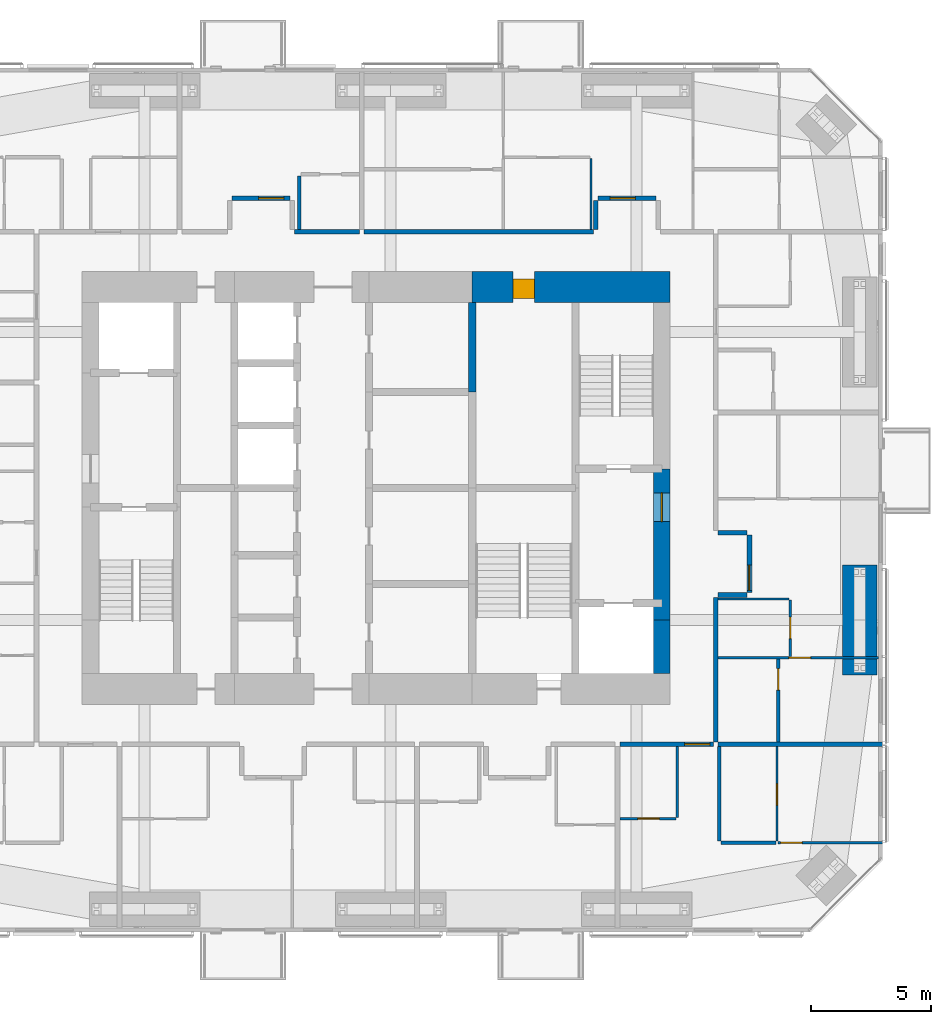
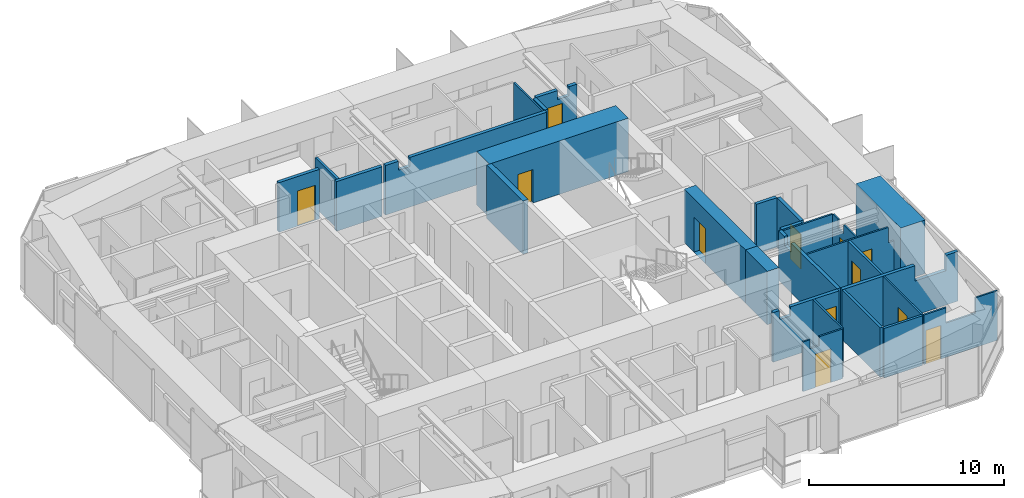
# One storey, part 19 of 23: 28 walls, 12 doors, 12 openings.
"""IFC4 building model written with IfcOpenShell, lengths in metres."""

from ifc_helpers import new_model, si_unit, direction, frame, frame_2d, origin, place, context, subcontext, project, spatial, polyline, rectangle, outline, extrude, material, layer, layer_set, constituent, constituent_set, type_object, element, fill, save


model = new_model("IFC4")

# Units and contexts
model_context = context("Model", 3, precision=1e-05, world=origin(), true_north=direction((0.0, 1.0)))
body_context = subcontext(model_context, "Body", "Model", "MODEL_VIEW")
ifc_project = project(units=[si_unit("LENGTHUNIT", "METRE"), si_unit("AREAUNIT", "SQUARE_METRE"), si_unit("VOLUMEUNIT", "CUBIC_METRE"), si_unit("PLANEANGLEUNIT", "RADIAN"), si_unit("MASSUNIT", "GRAM", prefix="KILO")], contexts=[model_context])

# Site, building, storey
site_placement = place(None, origin())
site = spatial("IfcSite", under=ifc_project, at=site_placement, CompositionType="ELEMENT")
building_placement = place(site_placement, origin())
building = spatial("IfcBuilding", under=site, at=building_placement, Name="Jalousie Tower", CompositionType="ELEMENT")
storey_placement = place(building_placement, frame((0.0, 0.0, 171.10009765625)))
storey = spatial("IfcBuildingStorey", under=building, at=storey_placement, Name="L46", CompositionType="ELEMENT", Elevation=171.10009765625)

# Walls
ifc_material_1 = material(Name="Concrete block ASTM C90", Category="concrete")
ifc_constituent_1 = constituent(ifc_material_1, Name="Body")
ifc_material_2 = material(Name="Render")
ifc_constituent_2 = constituent(ifc_material_2, Name="Finish")
ifc_constituent_set_1 = constituent_set(constituents=[ifc_constituent_1, ifc_constituent_2])
wall_type_1 = type_object("IfcWallType", Name="BATHROOM WALL 150", PredefinedType="PLUMBINGWALL", material=ifc_constituent_set_1)
wall_1_placement = place(storey_placement, frame((46.27490234375, 3.72119140625, 0.0), z_axis=(0.0, 0.0, 1.0), x_axis=(1.0, 0.0, 0.0)))
element("IfcWall", 1, at=wall_1_placement, inside=storey, type_object=wall_type_1, Name="Bathroom Wall 150 L46", PredefinedType="PLUMBINGWALL", context=body_context, shape_type="SweptSolid", body=[
    extrude(rectangle(XDim=2.275146484375, YDim=0.14990234375, at=frame_2d((1.1376953125, 0.0))), origin(), (0.0, 0.0, 1.0), 3.10986328125),
])
wall_2_placement = place(storey_placement, frame((46.199951171875, 3.79638671875, 0.0), z_axis=(0.0, 0.0, 1.0), x_axis=(0.0, 1.0, 0.0)))
element("IfcWall", 2, at=wall_2_placement, inside=storey, type_object=wall_type_1, Name="Bathroom Wall 150 L46", PredefinedType="PLUMBINGWALL", context=body_context, shape_type="SweptSolid", body=[
    extrude(rectangle(XDim=3.9287109375, YDim=0.14990234375, at=frame_2d((1.96435546875, 0.0))), origin(), (0.0, 0.0, 1.0), 3.10986328125),
])
wall_3_placement = place(storey_placement, frame((28.699951171875, 31.5, 0.0), z_axis=(0.0, 0.0, 1.0), x_axis=(0.0, -1.0, 0.0)))
element("IfcWall", 3, at=wall_3_placement, inside=storey, type_object=wall_type_1, Name="Bathroom Wall 150 L46", PredefinedType="PLUMBINGWALL", context=body_context, shape_type="SweptSolid", body=[
    extrude(rectangle(XDim=2.22509765625, YDim=0.14990234375, at=frame_2d((1.112548828125, 0.0))), origin(), (0.0, 0.0, 1.0), 3.10986328125),
])

# Wall, opening, door
wall_4_placement = place(storey_placement, frame((48.64990234375, 7.925048828125, 0.0), z_axis=(0.0, 0.0, 1.0), x_axis=(0.0, 1.0, 0.0)))
wall_4 = element("IfcWall", 4, at=wall_4_placement, inside=storey, type_object=wall_type_1, Name="Bathroom Wall 150 L46", PredefinedType="PLUMBINGWALL", context=body_context, shape_type="SweptSolid", body=[
    extrude(rectangle(XDim=3.449951171875, YDim=0.14990234375, at=frame_2d((1.72509765625, 0.0))), origin(), (0.0, 0.0, 1.0), 3.10986328125),
])
opening_1_placement = place(wall_4_placement, frame((2.14990234375, 0.0, 0.0)))
opening_1 = element("IfcOpeningElement", 5, at=opening_1_placement, cuts=wall_4, Name="Opening D3", PredefinedType="OPENING", context=body_context, shape_type="SweptSolid", body=[
    extrude(rectangle(XDim=0.89990234375, YDim=2.10009765625, at=frame_2d((0.449951171875, 1.050048828125))), frame((0.0, 0.0849609375, 0.0), z_axis=(0.0, -1.0, 0.0), x_axis=(1.0, 0.0, 0.0)), (0.0, 0.0, 1.0), 0.169921875),
])
ifc_material_3 = material(Name="Timber door", Category="wood")
door_type_1 = type_object("IfcDoorType", Name="BATHROOM DOOR 900", OperationType="SINGLE_SWING_LEFT", PredefinedType="DOOR", material=ifc_material_3)
door_1_placement = place(opening_1_placement, origin())
door_1 = element("IfcDoor", 6, at=door_1_placement, inside=storey, type_object=door_type_1, Name="Apartment 4610 bedroom 1 bathroom door", OperationType="SINGLE_SWING_RIGHT", OverallHeight=2.10009765625, OverallWidth=0.89990234375, PredefinedType="DOOR", context=body_context, shape_type="SweptSolid", body=[
    extrude(rectangle(XDim=0.89990234375, YDim=2.10009765625, at=frame_2d((0.449951171875, 1.050048828125))), frame((0.0, 0.02490234375, 0.0), z_axis=(0.0, -1.0, 0.0), x_axis=(1.0, 0.0, 0.0)), (0.0, 0.0, 1.0), 0.050048828125),
])
fill(opening_1, door_1)

ifc_material_4 = material(Name="Concrete f'c 120 MPa", Category="concrete")
ifc_layer_1 = layer(ifc_material_4, 1.300048828125)
ifc_layer_set_1 = layer_set([ifc_layer_1], Name="Concrete f'c 120 MPa")
wall_type_2 = type_object("IfcWallType", Name="CORE WALL 1300", PredefinedType="SHEAR", material=ifc_layer_set_1)
wall_5_placement = place(storey_placement, frame((44.14990234375, 26.875, 0.0), z_axis=(0.0, 0.0, 1.0), x_axis=(-1.0, 0.0, 0.0)))
wall_5 = element("IfcWall", 7, at=wall_5_placement, inside=storey, type_object=wall_type_2, Name="Core wall NA L46", PredefinedType="SHEAR", context=body_context, shape_type="SweptSolid", body=[
    extrude(rectangle(XDim=8.25, YDim=1.300048828125, at=frame_2d((4.125, 0.0))), origin(), (0.0, 0.0, 1.0), 3.349853515625),
])
opening_2_placement = place(wall_5_placement, frame((5.64990234375, 0.0, 0.0)))
opening_2 = element("IfcOpeningElement", 8, at=opening_2_placement, cuts=wall_5, Name="Opening D18", PredefinedType="OPENING", context=body_context, shape_type="SweptSolid", body=[
    extrude(rectangle(XDim=0.89990234375, YDim=2.10009765625, at=frame_2d((0.449951171875, 1.050048828125))), frame((0.0, 0.659912109375, 0.0), z_axis=(0.0, -1.0, 0.0), x_axis=(1.0, 0.0, 0.0)), (0.0, 0.0, 1.0), 1.320068359375),
])
ifc_material_5 = material(Name="Steel fire door", Category="steel")
door_type_2 = type_object("IfcDoorType", Name="CLEANER'S STORE DOOR 900", OperationType="SINGLE_SWING_LEFT", PredefinedType="DOOR", material=ifc_material_5)
door_2_placement = place(opening_2_placement, origin())
door_2 = element("IfcDoor", 9, at=door_2_placement, inside=storey, type_object=door_type_2, Name="Cleaner's store door", OperationType="SINGLE_SWING_RIGHT", OverallHeight=2.10009765625, OverallWidth=0.89990234375, PredefinedType="DOOR", context=body_context, shape_type="SweptSolid", body=[
    extrude(rectangle(XDim=0.89990234375, YDim=2.10009765625, at=frame_2d((0.449951171875, 1.050048828125))), frame((0.0, 0.47021484375, 0.0), z_axis=(0.0, -1.0, 0.0), x_axis=(1.0, 0.0, 0.0)), (0.0, 0.0, 1.0), 0.800048828125),
])
fill(opening_2, door_2)

# Walls
ifc_material_6 = material(Name="Concrete f'c 120 MPa", Category="concrete")
ifc_layer_2 = layer(ifc_material_6, 0.300048828125)
ifc_layer_set_2 = layer_set([ifc_layer_2], Name="Concrete f'c 120 MPa")
wall_type_3 = type_object("IfcWallType", Name="CORE WALL 300", PredefinedType="SHEAR", material=ifc_layer_set_2)
wall_6_placement = place(storey_placement, frame((35.89990234375, 22.5, 0.0), z_axis=(0.0, 0.0, 1.0), x_axis=(0.0, 1.0, 0.0)))
element("IfcWall", 10, at=wall_6_placement, inside=storey, type_object=wall_type_3, Name="Core wall X35.9D L46", PredefinedType="SHEAR", context=body_context, shape_type="SweptSolid", body=[
    extrude(rectangle(XDim=3.72509765625, YDim=0.300048828125, at=frame_2d((1.862548828125, 0.0))), origin(), (0.0, 0.0, 1.0), 3.349853515625),
])
ifc_material_7 = material(Name="Concrete f'c 120 MPa", Category="concrete")
ifc_layer_3 = layer(ifc_material_7, 0.699951171875)
ifc_layer_set_3 = layer_set([ifc_layer_3], Name="Concrete f'c 120 MPa")
wall_type_4 = type_object("IfcWallType", Name="CORE WALL 700", PredefinedType="SHEAR", material=ifc_layer_set_3)
wall_7_placement = place(storey_placement, frame((43.800048828125, 10.77490234375, 0.0), z_axis=(0.0, 0.0, 1.0), x_axis=(0.0, 1.0, 0.0)))
element("IfcWall", 11, at=wall_7_placement, inside=storey, type_object=wall_type_4, Name="Core wall EA L46", PredefinedType="SHEAR", context=body_context, shape_type="SweptSolid", body=[
    extrude(rectangle(XDim=2.22509765625, YDim=0.699951171875, at=frame_2d((1.112548828125, 0.0))), origin(), (0.0, 0.0, 1.0), 3.349853515625),
])

# Wall, opening, door
wall_8_placement = place(storey_placement, frame((43.800048828125, 13.0, 0.0), z_axis=(0.0, 0.0, 1.0), x_axis=(0.0, 1.0, 0.0)))
wall_8 = element("IfcWall", 12, at=wall_8_placement, inside=storey, type_object=wall_type_4, Name="Core wall EB L46", PredefinedType="SHEAR", context=body_context, shape_type="SweptSolid", body=[
    extrude(rectangle(XDim=6.300048828125, YDim=0.699951171875, at=frame_2d((3.14990234375, 0.0))), origin(), (0.0, 0.0, 1.0), 3.349853515625),
])
opening_3_placement = place(wall_8_placement, frame((4.10009765625, 0.0, 0.0)))
opening_3 = element("IfcOpeningElement", 13, at=opening_3_placement, cuts=wall_8, Name="Opening D11", PredefinedType="OPENING", context=body_context, shape_type="SweptSolid", body=[
    extrude(rectangle(XDim=1.199951171875, YDim=2.199951171875, at=frame_2d((0.60009765625, 1.10009765625))), frame((0.0, 0.35986328125, 0.0), z_axis=(0.0, -1.0, 0.0), x_axis=(1.0, 0.0, 0.0)), (0.0, 0.0, 1.0), 0.719970703125),
])
ifc_material_8 = material(Name="Steel fire door", Category="steel")
door_type_3 = type_object("IfcDoorType", Name="FIRE DOOR 1200", OperationType="SINGLE_SWING_LEFT", PredefinedType="DOOR", material=ifc_material_8)
door_3_placement = place(opening_3_placement, origin())
door_3 = element("IfcDoor", 14, at=door_3_placement, inside=storey, type_object=door_type_3, Name="Fire-fighting lobby B door", OperationType="SINGLE_SWING_RIGHT", OverallHeight=2.199951171875, OverallWidth=1.199951171875, PredefinedType="DOOR", context=body_context, shape_type="SweptSolid", body=[
    extrude(rectangle(XDim=1.199951171875, YDim=2.199951171875, at=frame_2d((0.60009765625, 1.10009765625))), frame((0.0, 0.02490234375, 0.0), z_axis=(0.0, -1.0, 0.0), x_axis=(1.0, 0.0, 0.0)), (0.0, 0.0, 1.0), 0.050048828125),
])
fill(opening_3, door_3)

ifc_material_9 = material(Name="Concrete block ASTM C90", Category="concrete")
ifc_constituent_3 = constituent(ifc_material_9, Name="Body")
ifc_material_10 = material(Name="Render")
ifc_constituent_4 = constituent(ifc_material_10, Name="Finish")
ifc_constituent_set_2 = constituent_set(constituents=[ifc_constituent_3, ifc_constituent_4])
wall_type_5 = type_object("IfcWallType", Name="CORRIDOR WALL 200", PredefinedType="PARTITIONING", material=ifc_constituent_set_2)
wall_9_placement = place(storey_placement, frame((42.050048828125, 7.824951171875, 0.0), z_axis=(0.0, 0.0, 1.0), x_axis=(1.0, 0.0, 0.0)))
wall_9 = element("IfcWall", 15, at=wall_9_placement, inside=storey, type_object=wall_type_5, Name="Corridor Wall 200 L46", PredefinedType="PARTITIONING", context=body_context, shape_type="SweptSolid", body=[
    extrude(outline(polyline([(0.0, 0.0), (3.89990234375, 0.0), (3.89990234375, 3.10986328125), (1.037353515625, 3.10986328125), (1.037353515625, 2.541015625), (0.362548828125, 2.541015625), (0.362548828125, 3.10986328125), (0.0, 3.10986328125), (0.0, 0.0)])), frame((0.0, 0.10009765625, 0.0), z_axis=(0.0, -1.0, 0.0), x_axis=(1.0, 0.0, 0.0)), (0.0, 0.0, 1.0), 0.199951171875),
])
opening_4_placement = place(wall_9_placement, frame((2.699951171875, 0.0, 0.0)))
opening_4 = element("IfcOpeningElement", 16, at=opening_4_placement, cuts=wall_9, Name="Opening D1", PredefinedType="OPENING", context=body_context, shape_type="SweptSolid", body=[
    extrude(rectangle(XDim=1.050048828125, YDim=2.199951171875, at=frame_2d((0.52490234375, 1.10009765625))), frame((0.0, 0.10986328125, 0.0), z_axis=(0.0, -1.0, 0.0), x_axis=(1.0, 0.0, 0.0)), (0.0, 0.0, 1.0), 0.219970703125),
])
ifc_material_11 = material(Name="Timber fire door", Category="wood")
door_type_4 = type_object("IfcDoorType", Name="APARTMENT ENTRANCE DOOR 1050", OperationType="SINGLE_SWING_LEFT", PredefinedType="DOOR", material=ifc_material_11)
door_4_placement = place(opening_4_placement, frame((1.050048828125, 0.0, 0.0), z_axis=(0.0, 0.0, 1.0), x_axis=(-1.0, 0.0, 0.0)))
door_4 = element("IfcDoor", 17, at=door_4_placement, inside=storey, type_object=door_type_4, Name="Apartment 4604 entrance", OperationType="SINGLE_SWING_RIGHT", OverallHeight=2.199951171875, OverallWidth=1.050048828125, PredefinedType="DOOR", context=body_context, shape_type="SweptSolid", body=[
    extrude(rectangle(XDim=1.050048828125, YDim=2.199951171875, at=frame_2d((0.52490234375, 1.10009765625))), frame((0.0, 0.02490234375, 0.0), z_axis=(0.0, -1.0, 0.0), x_axis=(1.0, 0.0, 0.0)), (0.0, 0.0, 1.0), 0.050048828125),
])
fill(opening_4, door_4)

# Walls
wall_10_placement = place(storey_placement, frame((31.39990234375, 29.175048828125, 0.0), z_axis=(0.0, 0.0, 1.0), x_axis=(1.0, 0.0, 0.0)))
element("IfcWall", 18, at=wall_10_placement, inside=storey, type_object=wall_type_5, Name="Corridor Wall 200 L46", PredefinedType="PARTITIONING", context=body_context, shape_type="SweptSolid", body=[
    extrude(outline(polyline([(0.0, 0.0), (9.550048828125, 0.0), (9.550048828125, 3.10986328125), (1.437255859375, 3.10986328125), (1.437255859375, 2.541015625), (0.7626953125, 2.541015625), (0.7626953125, 3.10986328125), (0.0, 3.10986328125), (0.0, 0.0)])), frame((0.0, 0.10009765625, 0.0), z_axis=(0.0, -1.0, 0.0), x_axis=(1.0, 0.0, 0.0)), (0.0, 0.0, 1.0), 0.199951171875),
])
wall_11_placement = place(storey_placement, frame((46.050048828125, 7.925048828125, 0.0), z_axis=(0.0, 0.0, 1.0), x_axis=(0.0, 1.0, 0.0)))
element("IfcWall", 19, at=wall_11_placement, inside=storey, type_object=wall_type_5, Name="Corridor Wall 200 L46", PredefinedType="PARTITIONING", context=body_context, shape_type="SweptSolid", body=[
    extrude(outline(polyline([(0.0, 0.0), (6.012451171875, 0.0), (6.012451171875, 3.10986328125), (5.412353515625, 3.10986328125), (5.412353515625, 2.541015625), (4.73779296875, 2.541015625), (4.73779296875, 3.10986328125), (0.0, 3.10986328125), (0.0, 0.0)])), frame((0.0, 0.10009765625, 0.0), z_axis=(0.0, -1.0, 0.0), x_axis=(1.0, 0.0, 0.0)), (0.0, 0.0, 1.0), 0.199951171875),
])
wall_12_placement = place(storey_placement, frame((28.5, 29.175048828125, 0.0), z_axis=(0.0, 0.0, 1.0), x_axis=(1.0, 0.0, 0.0)))
element("IfcWall", 20, at=wall_12_placement, inside=storey, type_object=wall_type_5, Name="Corridor Wall 200 L46", PredefinedType="PARTITIONING", context=body_context, shape_type="SweptSolid", body=[
    extrude(rectangle(XDim=2.699951171875, YDim=0.199951171875, at=frame_2d((1.35009765625, 0.0))), origin(), (0.0, 0.0, 1.0), 3.10986328125),
])

# Wall, opening, door
wall_13_placement = place(storey_placement, frame((25.89990234375, 30.574951171875, 0.0), z_axis=(0.0, 0.0, 1.0), x_axis=(1.0, 0.0, 0.0)))
wall_13 = element("IfcWall", 21, at=wall_13_placement, inside=storey, type_object=wall_type_5, Name="Corridor Wall 200 L46", PredefinedType="PARTITIONING", context=body_context, shape_type="SweptSolid", body=[
    extrude(rectangle(XDim=2.400146484375, YDim=0.199951171875, at=frame_2d((1.2001953125, 0.0))), origin(), (0.0, 0.0, 1.0), 3.10986328125),
])
opening_5_placement = place(wall_13_placement, frame((1.10009765625, 0.0, 0.0)))
opening_5 = element("IfcOpeningElement", 22, at=opening_5_placement, cuts=wall_13, Name="Opening D1", PredefinedType="OPENING", context=body_context, shape_type="SweptSolid", body=[
    extrude(rectangle(XDim=1.050048828125, YDim=2.199951171875, at=frame_2d((0.52490234375, 1.10009765625))), frame((0.0, 0.10986328125, 0.0), z_axis=(0.0, -1.0, 0.0), x_axis=(1.0, 0.0, 0.0)), (0.0, 0.0, 1.0), 0.219970703125),
])
door_5_placement = place(opening_5_placement, origin())
door_5 = element("IfcDoor", 23, at=door_5_placement, inside=storey, type_object=door_type_4, Name="Apartment 4606 entrance", OperationType="SINGLE_SWING_RIGHT", OverallHeight=2.199951171875, OverallWidth=1.050048828125, PredefinedType="DOOR", context=body_context, shape_type="SweptSolid", body=[
    extrude(rectangle(XDim=1.050048828125, YDim=2.199951171875, at=frame_2d((0.52490234375, 1.10009765625))), frame((0.0, 0.02490234375, 0.0), z_axis=(0.0, -1.0, 0.0), x_axis=(1.0, 0.0, 0.0)), (0.0, 0.0, 1.0), 0.050048828125),
])
fill(opening_5, door_5)

wall_14_placement = place(storey_placement, frame((41.14990234375, 30.574951171875, 0.0), z_axis=(0.0, 0.0, 1.0), x_axis=(1.0, 0.0, 0.0)))
wall_14 = element("IfcWall", 24, at=wall_14_placement, inside=storey, type_object=wall_type_5, Name="Corridor Wall 200 L46", PredefinedType="PARTITIONING", context=body_context, shape_type="SweptSolid", body=[
    extrude(outline(polyline([(0.0, 0.0), (2.400146484375, 0.0), (2.39990234375, 3.10986328125), (1.9375, 3.10986328125), (1.9375, 2.541015625), (1.2626953125, 2.541015625), (1.2626953125, 3.10986328125), (0.0, 3.10986328125), (0.0, 0.0)])), frame((0.0, 0.10009765625, 0.0), z_axis=(0.0, -1.0, 0.0), x_axis=(1.0, 0.0, 0.0)), (0.0, 0.0, 1.0), 0.199951171875),
])
opening_6_placement = place(wall_14_placement, frame((0.5, 0.0, 0.0)))
opening_6 = element("IfcOpeningElement", 25, at=opening_6_placement, cuts=wall_14, Name="Opening D1", PredefinedType="OPENING", context=body_context, shape_type="SweptSolid", body=[
    extrude(rectangle(XDim=1.050048828125, YDim=2.199951171875, at=frame_2d((0.52490234375, 1.10009765625))), frame((0.0, 0.10986328125, 0.0), z_axis=(0.0, -1.0, 0.0), x_axis=(1.0, 0.0, 0.0)), (0.0, 0.0, 1.0), 0.219970703125),
])
door_6_placement = place(opening_6_placement, origin())
door_6 = element("IfcDoor", 26, at=door_6_placement, inside=storey, type_object=door_type_4, Name="Apartment 4607 entrance", OperationType="SINGLE_SWING_LEFT", OverallHeight=2.199951171875, OverallWidth=1.050048828125, PredefinedType="DOOR", context=body_context, shape_type="SweptSolid", body=[
    extrude(rectangle(XDim=1.050048828125, YDim=2.199951171875, at=frame_2d((0.52490234375, 1.10009765625))), frame((0.0, 0.02490234375, 0.0), z_axis=(0.0, -1.0, 0.0), x_axis=(1.0, 0.0, 0.0)), (0.0, 0.0, 1.0), 0.050048828125),
])
fill(opening_6, door_6)

# Wall
wall_15_placement = place(storey_placement, frame((41.050048828125, 29.27490234375, 0.0), z_axis=(0.0, 0.0, 1.0), x_axis=(0.0, 1.0, 0.0)))
element("IfcWall", 27, at=wall_15_placement, inside=storey, type_object=wall_type_5, Name="Corridor Wall 200 L46", PredefinedType="PARTITIONING", context=body_context, shape_type="SweptSolid", body=[
    extrude(rectangle(XDim=1.2001953125, YDim=0.199951171875, at=frame_2d((0.60009765625, 0.0))), origin(), (0.0, 0.0, 1.0), 3.10986328125),
])

# Wall, opening, door
wall_16_placement = place(storey_placement, frame((47.449951171875, 14.137451171875, 0.0), z_axis=(0.0, 0.0, 1.0), x_axis=(0.0, 1.0, 0.0)))
wall_16 = element("IfcWall", 28, at=wall_16_placement, inside=storey, type_object=wall_type_5, Name="Corridor Wall 200 L46", PredefinedType="PARTITIONING", context=body_context, shape_type="SweptSolid", body=[
    extrude(rectangle(XDim=2.400146484375, YDim=0.199951171875, at=frame_2d((1.2001953125, 0.0))), origin(), (0.0, 0.0, 1.0), 3.10986328125),
])
opening_7_placement = place(wall_16_placement, frame((0.10009765625, 0.0, 0.0)))
opening_7 = element("IfcOpeningElement", 29, at=opening_7_placement, cuts=wall_16, Name="Opening D1", PredefinedType="OPENING", context=body_context, shape_type="SweptSolid", body=[
    extrude(rectangle(XDim=1.050048828125, YDim=2.199951171875, at=frame_2d((0.52490234375, 1.10009765625))), frame((0.0, 0.10986328125, 0.0), z_axis=(0.0, -1.0, 0.0), x_axis=(1.0, 0.0, 0.0)), (0.0, 0.0, 1.0), 0.219970703125),
])
door_7_placement = place(opening_7_placement, frame((1.050048828125, 0.0, 0.0), z_axis=(0.0, 0.0, 1.0), x_axis=(-1.0, 0.0, 0.0)))
door_7 = element("IfcDoor", 30, at=door_7_placement, inside=storey, type_object=door_type_4, Name="Apartment 4610 entrance", OperationType="SINGLE_SWING_RIGHT", OverallHeight=2.199951171875, OverallWidth=1.050048828125, PredefinedType="DOOR", context=body_context, shape_type="SweptSolid", body=[
    extrude(rectangle(XDim=1.050048828125, YDim=2.199951171875, at=frame_2d((0.52490234375, 1.10009765625))), frame((0.0, 0.02490234375, 0.0), z_axis=(0.0, -1.0, 0.0), x_axis=(1.0, 0.0, 0.0)), (0.0, 0.0, 1.0), 0.050048828125),
])
fill(opening_7, door_7)

# Walls
for number, where, z_axis, x_axis, name in (
    (31, (46.14990234375, 14.03759765625, 0.0), (0.0, 0.0, 1.0), (1.0, 0.0, 0.0), "Corridor Wall 200 L46"),
    (32, (46.14990234375, 16.637451171875, 0.0), (0.0, 0.0, 1.0), (1.0, 0.0, 0.0), "Corridor Wall 200 L46"),
):
    element("IfcWall", number, at=place(storey_placement, frame(where, z_axis=z_axis, x_axis=x_axis)), inside=storey, type_object=wall_type_5, Name=name, PredefinedType="PARTITIONING", context=body_context, shape_type="SweptSolid", body=[
        extrude(rectangle(XDim=1.2001953125, YDim=0.199951171875, at=frame_2d((0.60009765625, 0.0))), origin(), (0.0, 0.0, 1.0), 3.10986328125),
    ])

# Wall, opening, door
ifc_material_12 = material(Name="Gypsum board", Category="gypsum")
ifc_constituent_5 = constituent(ifc_material_12, Name="Body")
ifc_material_13 = material(Name="Light-gauge steel studs ASTM A653 SS Grade 33", Category="steel")
ifc_constituent_6 = constituent(ifc_material_13, Name="Framing")
ifc_constituent_set_3 = constituent_set(constituents=[ifc_constituent_5, ifc_constituent_6])
wall_type_6 = type_object("IfcWallType", Name="PARTITION 100", PredefinedType="PARTITIONING", material=ifc_constituent_set_3)
wall_17_placement = place(storey_placement, frame((48.60009765625, 3.79638671875, 0.0), z_axis=(0.0, 0.0, 1.0), x_axis=(0.0, 1.0, 0.0)))
wall_17 = element("IfcWall", 33, at=wall_17_placement, inside=storey, type_object=wall_type_6, Name="Partition 100 L46", PredefinedType="PARTITIONING", context=body_context, shape_type="SweptSolid", body=[
    extrude(rectangle(XDim=3.9287109375, YDim=0.10009765625, at=frame_2d((1.96435546875, 0.0))), origin(), (0.0, 0.0, 1.0), 3.10986328125),
])
opening_8_placement = place(wall_17_placement, frame((1.476806640625, 0.0, 0.0)))
opening_8 = element("IfcOpeningElement", 34, at=opening_8_placement, cuts=wall_17, Name="Opening D3", PredefinedType="OPENING", context=body_context, shape_type="SweptSolid", body=[
    extrude(rectangle(XDim=0.89990234375, YDim=2.10009765625, at=frame_2d((0.449951171875, 1.050048828125))), frame((0.0, 0.06005859375, 0.0), z_axis=(0.0, -1.0, 0.0), x_axis=(1.0, 0.0, 0.0)), (0.0, 0.0, 1.0), 0.1201171875),
])
door_8_placement = place(opening_8_placement, origin())
door_8 = element("IfcDoor", 35, at=door_8_placement, inside=storey, type_object=door_type_1, Name="Apartment 4604 bedroom 1 bathroom door", OperationType="SINGLE_SWING_LEFT", OverallHeight=2.10009765625, OverallWidth=0.89990234375, PredefinedType="DOOR", context=body_context, shape_type="SweptSolid", body=[
    extrude(rectangle(XDim=0.89990234375, YDim=2.10009765625, at=frame_2d((0.449951171875, 1.050048828125))), frame((0.0, 0.02490234375, 0.0), z_axis=(0.0, -1.0, 0.0), x_axis=(1.0, 0.0, 0.0)), (0.0, 0.0, 1.0), 0.050048828125),
])
fill(opening_8, door_8)

wall_18_placement = place(storey_placement, frame((48.64990234375, 3.72119140625, 0.0), z_axis=(0.0, 0.0, 1.0), x_axis=(1.0, 0.0, 0.0)))
wall_18 = element("IfcWall", 36, at=wall_18_placement, inside=storey, type_object=wall_type_6, Name="Partition 100 L46", PredefinedType="PARTITIONING", context=body_context, shape_type="SweptSolid", body=[
    extrude(outline(polyline([(0.0, 0.0), (4.35009765625, 0.0), (4.35009765625, 3.10986328125), (3.049072265625, 3.10986328125), (3.049072265625, 2.14990234375), (1.314453125, 2.14990234375), (1.314453125, 3.10986328125), (0.0, 3.10986328125), (0.0, 0.0)])), frame((0.0, 0.050048828125, 0.0), z_axis=(0.0, -1.0, 0.0), x_axis=(1.0, 0.0, 0.0)), (0.0, 0.0, 1.0), 0.10009765625),
])
opening_9_placement = place(wall_18_placement, frame((0.10009765625, 0.0, 0.0)))
opening_9 = element("IfcOpeningElement", 37, at=opening_9_placement, cuts=wall_18, Name="Opening D2", PredefinedType="OPENING", context=body_context, shape_type="SweptSolid", body=[
    extrude(rectangle(XDim=0.89990234375, YDim=2.10009765625, at=frame_2d((0.449951171875, 1.050048828125))), frame((0.0, 0.06005859375, 0.0), z_axis=(0.0, -1.0, 0.0), x_axis=(1.0, 0.0, 0.0)), (0.0, 0.0, 1.0), 0.1201171875),
])
ifc_material_14 = material(Name="Timber door", Category="wood")
door_type_5 = type_object("IfcDoorType", Name="BEDROOM DOOR 900", OperationType="SINGLE_SWING_LEFT", PredefinedType="DOOR", material=ifc_material_14)
door_9_placement = place(opening_9_placement, origin())
door_9 = element("IfcDoor", 38, at=door_9_placement, inside=storey, type_object=door_type_5, Name="Apartment 4604 bedroom 1 door", OperationType="SINGLE_SWING_LEFT", OverallHeight=2.10009765625, OverallWidth=0.89990234375, PredefinedType="DOOR", context=body_context, shape_type="SweptSolid", body=[
    extrude(rectangle(XDim=0.89990234375, YDim=2.10009765625, at=frame_2d((0.449951171875, 1.050048828125))), frame((0.0, 0.02490234375, 0.0), z_axis=(0.0, -1.0, 0.0), x_axis=(1.0, 0.0, 0.0)), (0.0, 0.0, 1.0), 0.050048828125),
])
fill(opening_9, door_9)

wall_19_placement = place(storey_placement, frame((42.050048828125, 4.72509765625, 0.0), z_axis=(0.0, 0.0, 1.0), x_axis=(1.0, 0.0, 0.0)))
wall_19 = element("IfcWall", 39, at=wall_19_placement, inside=storey, type_object=wall_type_6, Name="Partition 100 L46", PredefinedType="PARTITIONING", context=body_context, shape_type="SweptSolid", body=[
    extrude(outline(polyline([(0.0, 0.0), (2.349853515625, 0.0), (2.35009765625, 3.10986328125), (0.9873046875, 3.10986328125), (0.9873046875, 2.541015625), (0.41259765625, 2.541015625), (0.41259765625, 3.10986328125), (0.0, 3.10986328125), (0.0, 0.0)])), frame((0.0, 0.050048828125, 0.0), z_axis=(0.0, -1.0, 0.0), x_axis=(1.0, 0.0, 0.0)), (0.0, 0.0, 1.0), 0.10009765625),
])
opening_10_placement = place(wall_19_placement, frame((0.75, 0.0, 0.0)))
opening_10 = element("IfcOpeningElement", 40, at=opening_10_placement, cuts=wall_19, Name="Opening D7", PredefinedType="OPENING", context=body_context, shape_type="SweptSolid", body=[
    extrude(rectangle(XDim=0.89990234375, YDim=2.10009765625, at=frame_2d((0.449951171875, 1.050048828125))), frame((0.0, 0.06005859375, 0.0), z_axis=(0.0, -1.0, 0.0), x_axis=(1.0, 0.0, 0.0)), (0.0, 0.0, 1.0), 0.1201171875),
])
ifc_material_15 = material(Name="Timber door", Category="wood")
door_type_6 = type_object("IfcDoorType", Name="INTERNAL DOOR 900", OperationType="SINGLE_SWING_LEFT", PredefinedType="DOOR", material=ifc_material_15)
door_10_placement = place(opening_10_placement, frame((0.89990234375, 0.0, 0.0), z_axis=(0.0, 0.0, 1.0), x_axis=(-1.0, 0.0, 0.0)))
door_10 = element("IfcDoor", 41, at=door_10_placement, inside=storey, type_object=door_type_6, Name="Apartment 4604 kitchen door", OperationType="SINGLE_SWING_RIGHT", OverallHeight=2.10009765625, OverallWidth=0.89990234375, PredefinedType="DOOR", context=body_context, shape_type="SweptSolid", body=[
    extrude(rectangle(XDim=0.89990234375, YDim=2.10009765625, at=frame_2d((0.449951171875, 1.050048828125))), frame((0.0, 0.02490234375, 0.0), z_axis=(0.0, -1.0, 0.0), x_axis=(1.0, 0.0, 0.0)), (0.0, 0.0, 1.0), 0.050048828125),
])
fill(opening_10, door_10)

# Walls
for number, where, z_axis, x_axis, name in (
    (42, (44.449951171875, 4.77490234375, 0.0), (0.0, 0.0, 1.0), (0.0, 1.0, 0.0), "Partition 100 L46"),
    (43, (40.85009765625, 32.22509765625, 0.0), (0.0, 0.0, 1.0), (0.0, -1.0, 0.0), "Partition 100 L46"),
):
    element("IfcWall", number, at=place(storey_placement, frame(where, z_axis=z_axis, x_axis=x_axis)), inside=storey, type_object=wall_type_6, Name=name, PredefinedType="PARTITIONING", context=body_context, shape_type="SweptSolid", body=[
        extrude(rectangle(XDim=2.9501953125, YDim=0.10009765625, at=frame_2d((1.47509765625, 0.0))), origin(), (0.0, 0.0, 1.0), 3.10986328125),
    ])

# Wall, opening, door
wall_20_placement = place(storey_placement, frame((52.824951171875, 11.425048828125, 0.0), z_axis=(0.0, 0.0, 1.0), x_axis=(-1.0, 0.0, 0.0)))
wall_20 = element("IfcWall", 44, at=wall_20_placement, inside=storey, type_object=wall_type_6, Name="Partition 100 L46", PredefinedType="PARTITIONING", context=body_context, shape_type="SweptSolid", body=[
    extrude(outline(polyline([(0.114501953125, 3.10986328125), (0.0, 3.10986328125), (0.0, 0.0), (0.52880859375, 0.0), (0.52880859375, 0.185302734375), (1.021240234375, 0.185302734375), (1.021240234375, 0.0), (6.675048828125, 0.0), (6.675048828125, 3.10986328125), (1.84912109375, 3.10986328125), (1.84912109375, 2.14990234375), (1.021240234375, 2.14990234375), (1.021240234375, 1.96435546875), (0.52880859375, 1.96435546875), (0.52880859375, 2.14990234375), (0.114501953125, 2.14990234375), (0.114501953125, 3.10986328125)])), frame((0.0, 0.050048828125, 0.0), z_axis=(0.0, -1.0, 0.0), x_axis=(1.0, 0.0, 0.0)), (0.0, 0.0, 1.0), 0.10009765625),
])
opening_11_placement = place(wall_20_placement, frame((2.824951171875, 0.0, 0.0)))
opening_11 = element("IfcOpeningElement", 45, at=opening_11_placement, cuts=wall_20, Name="Opening D2", PredefinedType="OPENING", context=body_context, shape_type="SweptSolid", body=[
    extrude(rectangle(XDim=0.89990234375, YDim=2.10009765625, at=frame_2d((0.449951171875, 1.050048828125))), frame((0.0, 0.06005859375, 0.0), z_axis=(0.0, -1.0, 0.0), x_axis=(1.0, 0.0, 0.0)), (0.0, 0.0, 1.0), 0.1201171875),
])
door_11_placement = place(opening_11_placement, origin())
door_11 = element("IfcDoor", 46, at=door_11_placement, inside=storey, type_object=door_type_5, Name="Apartment 4610 bedroom 1 door", OperationType="SINGLE_SWING_RIGHT", OverallHeight=2.10009765625, OverallWidth=0.89990234375, PredefinedType="DOOR", context=body_context, shape_type="SweptSolid", body=[
    extrude(rectangle(XDim=0.89990234375, YDim=2.10009765625, at=frame_2d((0.449951171875, 1.050048828125))), frame((0.0, 0.02490234375, 0.0), z_axis=(0.0, -1.0, 0.0), x_axis=(1.0, 0.0, 0.0)), (0.0, 0.0, 1.0), 0.050048828125),
])
fill(opening_11, door_11)

wall_21_placement = place(storey_placement, frame((49.14990234375, 11.47509765625, 0.0), z_axis=(0.0, 0.0, 1.0), x_axis=(0.0, 1.0, 0.0)))
wall_21 = element("IfcWall", 47, at=wall_21_placement, inside=storey, type_object=wall_type_6, Name="Partition 100 L46", PredefinedType="PARTITIONING", context=body_context, shape_type="SweptSolid", body=[
    extrude(outline(polyline([(0.0, 0.0), (2.349853515625, 0.0), (2.35009765625, 3.10986328125), (1.8125, 3.10986328125), (1.8125, 2.541015625), (1.23779296875, 2.541015625), (1.23779296875, 3.10986328125), (0.0, 3.10986328125), (0.0, 0.0)])), frame((0.0, 0.050048828125, 0.0), z_axis=(0.0, -1.0, 0.0), x_axis=(1.0, 0.0, 0.0)), (0.0, 0.0, 1.0), 0.10009765625),
])
opening_12_placement = place(wall_21_placement, frame((0.75, 0.0, 0.0)))
opening_12 = element("IfcOpeningElement", 48, at=opening_12_placement, cuts=wall_21, Name="Opening D7", PredefinedType="OPENING", context=body_context, shape_type="SweptSolid", body=[
    extrude(rectangle(XDim=0.89990234375, YDim=2.10009765625, at=frame_2d((0.449951171875, 1.050048828125))), frame((0.0, 0.06005859375, 0.0), z_axis=(0.0, -1.0, 0.0), x_axis=(1.0, 0.0, 0.0)), (0.0, 0.0, 1.0), 0.1201171875),
])
door_12_placement = place(opening_12_placement, frame((0.89990234375, 0.0, 0.0), z_axis=(0.0, 0.0, 1.0), x_axis=(-1.0, 0.0, 0.0)))
door_12 = element("IfcDoor", 49, at=door_12_placement, inside=storey, type_object=door_type_6, Name="Apartment 4610 kitchen door", OperationType="SINGLE_SWING_RIGHT", OverallHeight=2.10009765625, OverallWidth=0.89990234375, PredefinedType="DOOR", context=body_context, shape_type="SweptSolid", body=[
    extrude(rectangle(XDim=0.89990234375, YDim=2.10009765625, at=frame_2d((0.449951171875, 1.050048828125))), frame((0.0, 0.02490234375, 0.0), z_axis=(0.0, -1.0, 0.0), x_axis=(1.0, 0.0, 0.0)), (0.0, 0.0, 1.0), 0.050048828125),
])
fill(opening_12, door_12)

# Walls
wall_22_placement = place(storey_placement, frame((49.10009765625, 13.875, 0.0), z_axis=(0.0, 0.0, 1.0), x_axis=(-1.0, 0.0, 0.0)))
element("IfcWall", 50, at=wall_22_placement, inside=storey, type_object=wall_type_6, Name="Partition 100 L46", PredefinedType="PARTITIONING", context=body_context, shape_type="SweptSolid", body=[
    extrude(rectangle(XDim=2.9501953125, YDim=0.10009765625, at=frame_2d((1.47509765625, 0.0))), origin(), (0.0, 0.0, 1.0), 3.10986328125),
])
ifc_material_16 = material(Name="Concrete block ASTM C90", Category="concrete")
ifc_constituent_7 = constituent(ifc_material_16, Name="Body")
ifc_material_17 = material(Name="Render")
ifc_constituent_8 = constituent(ifc_material_17, Name="Finish")
ifc_constituent_set_4 = constituent_set(constituents=[ifc_constituent_7, ifc_constituent_8])
wall_type_7 = type_object("IfcWallType", Name="PARTY WALL 200", PredefinedType="PARTITIONING", material=ifc_constituent_set_4)
wall_23_placement = place(storey_placement, frame((46.14990234375, 7.824951171875, 0.0), z_axis=(0.0, 0.0, 1.0), x_axis=(1.0, 0.0, 0.0)))
element("IfcWall", 51, at=wall_23_placement, inside=storey, type_object=wall_type_7, Name="Party Wall 200 L46", PredefinedType="PARTITIONING", context=body_context, shape_type="SweptSolid", body=[
    extrude(outline(polyline([(0.0, 0.0), (6.85009765625, 0.0), (6.85009765625, 3.10986328125), (6.138427734375, 3.10986328125), (6.138427734375, 2.14990234375), (4.302734375, 2.14990234375), (4.302734375, 3.10986328125), (0.0, 3.10986328125), (0.0, 0.0)])), frame((0.0, 0.10009765625, 0.0), z_axis=(0.0, -1.0, 0.0), x_axis=(1.0, 0.0, 0.0)), (0.0, 0.0, 1.0), 0.199951171875),
])
ifc_material_18 = material(Name="Concrete f'c 120 MPa", Category="concrete")
ifc_layer_4 = layer(ifc_material_18, 1.449951171875)
ifc_layer_set_4 = layer_set([ifc_layer_4], Name="Concrete f'c 120 MPa")
wall_type_8 = type_object("IfcWallType", Name="RC WALL PIER 1450", PredefinedType="SHEAR", material=ifc_layer_set_4)
wall_24_placement = place(storey_placement, frame((52.050048828125, 10.699951171875, 0.0), z_axis=(0.0, 0.0, 1.0), x_axis=(0.0, 1.0, 0.0)))
element("IfcWall", 52, at=wall_24_placement, inside=storey, type_object=wall_type_8, Name="Wall pier 06 L46", PredefinedType="SHEAR", context=body_context, shape_type="SweptSolid", body=[
    extrude(rectangle(XDim=4.60009765625, YDim=1.449951171875, at=frame_2d((2.300048828125, 0.0))), origin(), (0.0, 0.0, 1.0), 3.349853515625),
])

save(model, "model.ifc")
